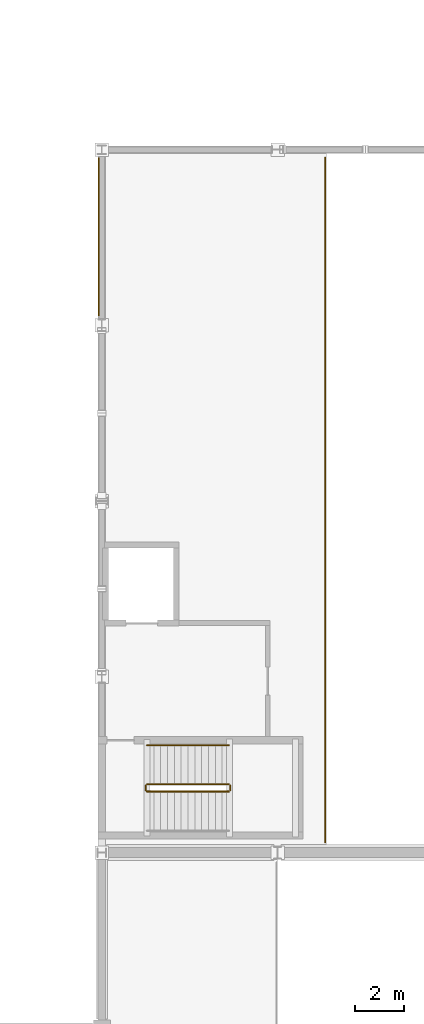
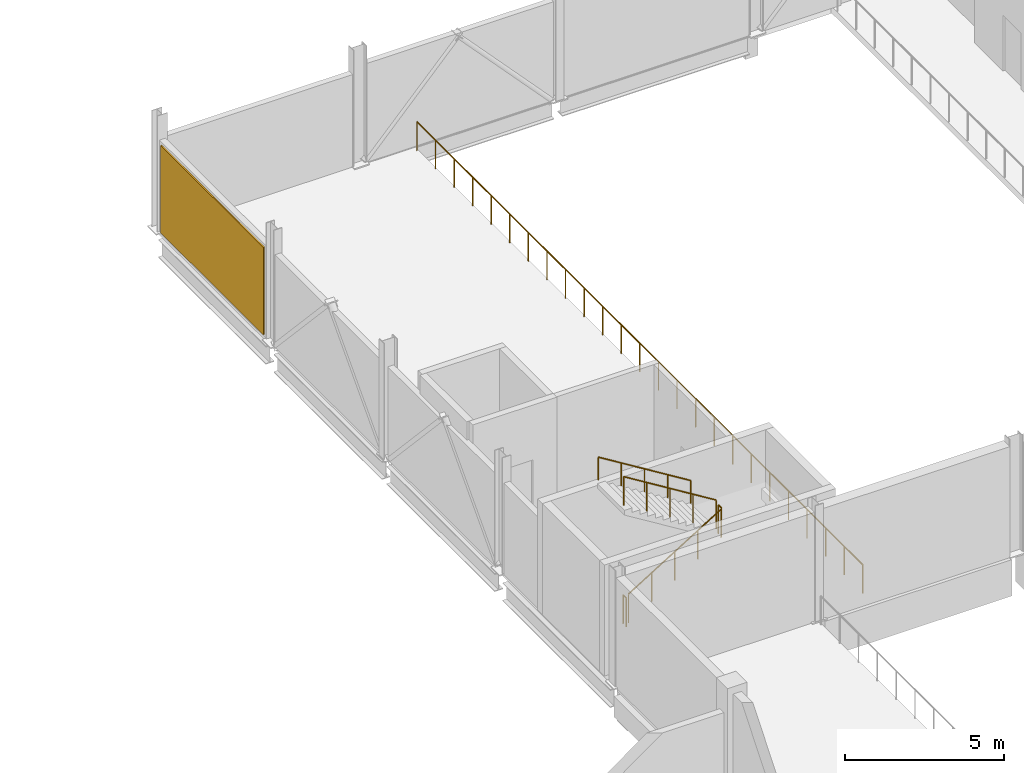
# One storey, part 104 of 108: 6 railings, 1 covering.
"""IFC4 building model written with IfcOpenShell, lengths in metres."""

import ifcopenshell
import ifcopenshell.guid

model = None  # the IFC model being written
_history = None  # IfcOwnerHistory: only IFC2X3 demands one
_inside = {}  # id of a spatial element -> (the spatial element, [elements in it])
_under = {}  # id of a project, library or spatial element -> (it, [spatial elements below it])
_declared = {}  # id of a project -> (the project, [libraries it declares])
_typed = {}  # id of a type object -> (the type object, [elements of that type])
_made_of = {}  # id of a material, layer set ... -> (it, [elements and type objects made of it])


def new_model(schema):
    """Start an empty IFC model of exactly this schema.

    Asked for "IFC4X3", IfcOpenShell would pick the latest addendum, in which some entities
    have other attributes; the version numbers below select the first issue.
    IFC2X3 requires an IfcOwnerHistory on every rooted entity: one is made here for all.
    """
    global model, _history
    if schema == "IFC4X3":
        model = ifcopenshell.file(schema_version=(4, 3, 0, 0))
    else:
        model = ifcopenshell.file(schema=schema)
    _inside.clear()
    _under.clear()
    _declared.clear()
    _typed.clear()
    _made_of.clear()
    _history = None
    if model.schema == "IFC2X3":
        org = make("IfcOrganization", Name="unknown")
        user = make(
            "IfcPersonAndOrganization",
            ThePerson=make("IfcPerson", FamilyName="unknown"),
            TheOrganization=org,
        )
        app = make(
            "IfcApplication",
            ApplicationDeveloper=org,
            Version="unknown",
            ApplicationFullName="unknown",
            ApplicationIdentifier="unknown",
        )
        _history = make(
            "IfcOwnerHistory",
            OwningUser=user,
            OwningApplication=app,
            ChangeAction="ADDED",
            CreationDate=0,
        )
    return model


def make(cls, **values):
    """One entity of the class cls with the attributes given. An attribute that is None is left unset."""
    return model.create_entity(
        cls, **{name: value for name, value in values.items() if value is not None}
    )


def rooted(cls, **values):
    """An entity with a GlobalId (a new one), such as an element, a storey or a relation."""
    return make(cls, GlobalId=ifcopenshell.guid.new(), OwnerHistory=_history, **values)


def si_unit(unit_type, name, prefix=None):
    """IfcSIUnit, for example si_unit("LENGTHUNIT", "METRE", prefix="MILLI")."""
    return make("IfcSIUnit", UnitType=unit_type, Prefix=prefix, Name=name)


def assignment(units):
    """IfcUnitAssignment: the units of a project."""
    return None if units is None else make("IfcUnitAssignment", Units=units)


def point(xyz):
    """IfcCartesianPoint."""
    return None if xyz is None else make("IfcCartesianPoint", Coordinates=xyz)


def direction(xyz):
    """IfcDirection."""
    return None if xyz is None else make("IfcDirection", DirectionRatios=xyz)


def frame(location, z_axis=None, x_axis=None):
    """IfcAxis2Placement3D, a coordinate frame: its origin and axes. An axis left out is left unset."""
    return make(
        "IfcAxis2Placement3D",
        Location=point(location),
        Axis=direction(z_axis),
        RefDirection=direction(x_axis),
    )


def frame_2d(location, x_axis=None):
    """IfcAxis2Placement2D, a coordinate frame in the plane: its origin and x axis."""
    return make(
        "IfcAxis2Placement2D", Location=point(location), RefDirection=direction(x_axis)
    )


def origin():
    """The frame at (0, 0, 0) with its axes left unset."""
    return frame((0.0, 0.0, 0.0))


def origin_2d():
    """The frame at (0, 0) in the plane with its x axis left unset."""
    return frame_2d((0.0, 0.0))


def place(relative_to, where):
    """IfcLocalPlacement: puts the frame where relative to a parent placement (None: the world)."""
    return make(
        "IfcLocalPlacement", PlacementRelTo=relative_to, RelativePlacement=where
    )


def context(
    kind, dimensions, precision=None, world=None, true_north=None, identifier=None
):
    """IfcGeometricRepresentationContext, for example the 3D "Model" context."""
    return make(
        "IfcGeometricRepresentationContext",
        ContextIdentifier=identifier,
        ContextType=kind,
        CoordinateSpaceDimension=dimensions,
        Precision=precision,
        WorldCoordinateSystem=world,
        TrueNorth=true_north,
    )


def subcontext(parent, identifier, kind, view, scale=None):
    """IfcGeometricRepresentationSubContext, for example "Body" below "Model"."""
    return make(
        "IfcGeometricRepresentationSubContext",
        ContextIdentifier=identifier,
        ContextType=kind,
        ParentContext=parent,
        TargetScale=scale,
        TargetView=view,
    )


def project(units=None, contexts=None):
    """IfcProject with its units and contexts."""
    return rooted(
        "IfcProject",
        Name="project",
        RepresentationContexts=contexts,
        UnitsInContext=assignment(units),
    )


def spatial(cls, under=None, at=None, **own):
    """A site, building, storey or space (cls), placed at a placement, below another one or the project."""
    s = rooted(cls, ObjectPlacement=at, **own)
    if under is not None:
        _under.setdefault(under.id(), (under, []))[1].append(s)
    return s


def profile(cls, at=None, kind="AREA", **sizes):
    """A parametric profile (cls). Its sizes go by their IFC names, for example OverallWidth=200.0."""
    return make(cls, ProfileType=kind, Position=at, **sizes)


def rectangle(**sizes):
    """IfcRectangleProfileDef."""
    return profile("IfcRectangleProfileDef", **sizes)


def circle(**sizes):
    """IfcCircleProfileDef."""
    return profile("IfcCircleProfileDef", **sizes)


def extrude(swept, where, along, depth):
    """IfcExtrudedAreaSolid: the profile swept, set in the frame where, extruded along a direction by depth."""
    return make(
        "IfcExtrudedAreaSolid",
        SweptArea=swept,
        Position=where,
        ExtrudedDirection=direction(along),
        Depth=depth,
    )


def shape(context_of_items, identifier, shape_type, items):
    """IfcShapeRepresentation: the items that make up one representation, for example the "Body"."""
    return make(
        "IfcShapeRepresentation",
        ContextOfItems=context_of_items,
        RepresentationIdentifier=identifier,
        RepresentationType=shape_type,
        Items=items,
    )


def material(Name=None, Category=None):
    """IfcMaterial."""
    return make("IfcMaterial", Name=Name, Category=Category)


def layer(
    of_material, thickness, ventilated=None, Name=None, Category=None, Priority=None
):
    """IfcMaterialLayer: one layer of a wall or slab, of a material (None: an air gap)."""
    return make(
        "IfcMaterialLayer",
        Material=of_material,
        LayerThickness=thickness,
        IsVentilated=ventilated,
        Name=Name,
        Category=Category,
        Priority=Priority,
    )


def layer_set(layers, Name=None):
    """IfcMaterialLayerSet."""
    return make("IfcMaterialLayerSet", MaterialLayers=layers, LayerSetName=Name)


def made_of(thing, what):
    """Note that an element or type object is made of a material, layer set ...; save() writes the relation."""
    if what is not None:
        _made_of.setdefault(what.id(), (what, []))[1].append(thing)
    return thing


def type_object(cls, material=None, **own):
    """A type object (cls), such as IfcWallType, which elements share."""
    return made_of(rooted(cls, **own), material)


def element(
    cls,
    number,
    at=None,
    inside=None,
    cuts=None,
    type_object=None,
    material=None,
    context=None,
    identifier="Body",
    shape_type=None,
    held_by="IfcProductDefinitionShape",
    body=None,
    shapes=None,
    **own,
):
    """One element of the class cls, such as IfcWall. Its Tag is "e" and its number.

    at: its placement. inside: the storey or other place that contains it. cuts: it is an
    opening in that element (IfcRelVoidsElement). A single representation is given by context,
    identifier, shape_type and body (its items); several are given by shapes. held_by: the class
    of the entity that holds the representations. save() writes the other relations.
    """
    e = rooted(cls, Tag="e%d" % number, ObjectPlacement=at, **own)
    if body is not None:
        shapes = [shape(context, identifier, shape_type, body)]
    if shapes is not None:
        e.Representation = make(held_by, Representations=shapes)
    if inside is not None:
        _inside.setdefault(inside.id(), (inside, []))[1].append(e)
    if cuts is not None:
        rooted(
            "IfcRelVoidsElement", RelatingBuildingElement=cuts, RelatedOpeningElement=e
        )
    if type_object is not None:
        _typed.setdefault(type_object.id(), (type_object, []))[1].append(e)
    return made_of(e, material)


def aggregate(whole, parts):
    """IfcRelAggregates: a whole, such as a stair, and the parts it consists of."""
    return rooted("IfcRelAggregates", RelatingObject=whole, RelatedObjects=parts)


def save(model, path):
    """Write the relations noted so far, then the file.

    IfcRelAggregates (storeys below a building ...), IfcRelContainedInSpatialStructure (elements
    in a storey), IfcRelDefinesByType, IfcRelAssociatesMaterial and IfcRelDeclares: one each for
    every whole, place, type object, material and project.
    """
    for whole, parts in _under.values():
        aggregate(whole, parts)
    for where, things in _inside.values():
        rooted(
            "IfcRelContainedInSpatialStructure",
            RelatedElements=things,
            RelatingStructure=where,
        )
    for kind, things in _typed.values():
        rooted("IfcRelDefinesByType", RelatedObjects=things, RelatingType=kind)
    for what, things in _made_of.values():
        rooted("IfcRelAssociatesMaterial", RelatedObjects=things, RelatingMaterial=what)
    for by, libraries in _declared.values():
        rooted("IfcRelDeclares", RelatingContext=by, RelatedDefinitions=libraries)
    model.write(path)


model = new_model("IFC4")

# Units and contexts
model_context = context("Model", 3, precision=1e-05, world=origin(), true_north=direction((0.0, 1.0)))
body_context = subcontext(model_context, "Body", "Model", "MODEL_VIEW")
ifc_project = project(units=[si_unit("LENGTHUNIT", "METRE"), si_unit("AREAUNIT", "SQUARE_METRE"), si_unit("VOLUMEUNIT", "CUBIC_METRE"), si_unit("PLANEANGLEUNIT", "RADIAN"), si_unit("MASSUNIT", "GRAM", prefix="KILO"), si_unit("THERMODYNAMICTEMPERATUREUNIT", "KELVIN"), si_unit("POWERUNIT", "WATT")], contexts=[model_context])

# Site, building, storey
site_placement = place(None, origin())
site = spatial("IfcSite", under=ifc_project, at=site_placement, CompositionType="ELEMENT")
building_placement = place(site_placement, origin())
building = spatial("IfcBuilding", under=site, at=building_placement, Name="Kaldorven Railside Theatre", CompositionType="ELEMENT")
storey_placement = place(building_placement, frame((0.0, 0.0, 5.39990234375)))
storey = spatial("IfcBuildingStorey", under=building, at=storey_placement, Name="L01", CompositionType="ELEMENT", Elevation=5.39990234375)

# Covering
ifc_material_1 = material(Name="Bush-hammered precast concrete C40/50", Category="concrete")
ifc_layer = layer(ifc_material_1, 0.050048828125, Name="Bush-hammered precast concrete C40/50")
ifc_layer_set = layer_set([ifc_layer], Name="Bush-hammered precast concrete C40/50")
covering_type = type_object("IfcCoveringType", Name="COV-CLD-01", PredefinedType="CLADDING", material=ifc_layer_set)
covering_placement = place(storey_placement, frame((87.069091796875, 109.23291015625, 0.10009765625), z_axis=(0.0, 0.0, 1.0), x_axis=(0.0, 1.0, 0.0)))
element("IfcCovering", 1, at=covering_placement, inside=storey, type_object=covering_type, Name="Bush-Hammered Laterite Rainscreen Panel CLD-035", PredefinedType="CLADDING", context=body_context, shape_type="SweptSolid", body=[
    extrude(rectangle(XDim=6.466064453125, YDim=0.050048828125, at=origin_2d()), origin(), (0.0, 0.0, 1.0), 3.35498046875),
])

# Railings
ifc_material_2 = material(Name="Anodised bronze aluminium", Category="aluminium")
railing_type_1 = type_object("IfcRailingType", Name="RLG-BAL-1100", PredefinedType="BALUSTRADE", material=ifc_material_2)
railing_1_placement = place(storey_placement, frame((96.360107421875, 112.469970703125, 0.0)))
element("IfcRailing", 2, at=railing_1_placement, inside=storey, type_object=railing_type_1, Name="L01 Safety Balustrade GR-038", PredefinedType="BALUSTRADE", context=body_context, shape_type="SweptSolid", body=[
    extrude(circle(Radius=0.02392578125, at=origin_2d()), frame((0.0, 0.0, 1.09619140625), z_axis=(0.0, -1.0, 0.0), x_axis=(1.0, 0.0, 0.0)), (0.0, 0.0, 1.0), 28.050048828125),
    extrude(circle(Radius=0.02099609375, at=origin_2d()), origin(), (0.0, 0.0, 1.0), 1.072021484375),
    extrude(circle(Radius=0.02099609375, at=origin_2d()), frame((0.0, -1.168701171875, 0.0)), (0.0, 0.0, 1.0), 1.072021484375),
    extrude(circle(Radius=0.02099609375, at=origin_2d()), frame((0.0, -2.33740234375, 0.0)), (0.0, 0.0, 1.0), 1.072021484375),
    extrude(circle(Radius=0.02099609375, at=origin_2d()), frame((0.0, -3.50634765625, 0.0)), (0.0, 0.0, 1.0), 1.072021484375),
    extrude(circle(Radius=0.02099609375, at=origin_2d()), frame((0.0, -4.675048828125, 0.0)), (0.0, 0.0, 1.0), 1.072021484375),
    extrude(circle(Radius=0.02099609375, at=origin_2d()), frame((0.0, -5.84375, 0.0)), (0.0, 0.0, 1.0), 1.072021484375),
    extrude(circle(Radius=0.02099609375, at=origin_2d()), frame((0.0, -7.012451171875, 0.0)), (0.0, 0.0, 1.0), 1.072021484375),
    extrude(circle(Radius=0.02099609375, at=origin_2d()), frame((0.0, -8.18115234375, 0.0)), (0.0, 0.0, 1.0), 1.072021484375),
    extrude(circle(Radius=0.02099609375, at=origin_2d()), frame((0.0, -9.35009765625, 0.0)), (0.0, 0.0, 1.0), 1.072021484375),
    extrude(circle(Radius=0.02099609375, at=origin_2d()), frame((0.0, -10.518798828125, 0.0)), (0.0, 0.0, 1.0), 1.072021484375),
    extrude(circle(Radius=0.02099609375, at=origin_2d()), frame((0.0, -11.6875, 0.0)), (0.0, 0.0, 1.0), 1.072021484375),
    extrude(circle(Radius=0.02099609375, at=origin_2d()), frame((0.0, -12.856201171875, 0.0)), (0.0, 0.0, 1.0), 1.072021484375),
    extrude(circle(Radius=0.02099609375, at=origin_2d()), frame((0.0, -14.02490234375, 0.0)), (0.0, 0.0, 1.0), 1.072021484375),
    extrude(circle(Radius=0.02099609375, at=origin_2d()), frame((0.0, -15.19384765625, 0.0)), (0.0, 0.0, 1.0), 1.072021484375),
    extrude(circle(Radius=0.02099609375, at=origin_2d()), frame((0.0, -16.362548828125, 0.0)), (0.0, 0.0, 1.0), 1.072021484375),
    extrude(circle(Radius=0.02099609375, at=origin_2d()), frame((0.0, -17.53125, 0.0)), (0.0, 0.0, 1.0), 1.072021484375),
    extrude(circle(Radius=0.02099609375, at=origin_2d()), frame((0.0, -18.699951171875, 0.0)), (0.0, 0.0, 1.0), 1.072021484375),
    extrude(circle(Radius=0.02099609375, at=origin_2d()), frame((0.0, -19.868896484375, 0.0)), (0.0, 0.0, 1.0), 1.072021484375),
    extrude(circle(Radius=0.02099609375, at=origin_2d()), frame((0.0, -21.03759765625, 0.0)), (0.0, 0.0, 1.0), 1.072021484375),
    extrude(circle(Radius=0.02099609375, at=origin_2d()), frame((0.0, -22.206298828125, 0.0)), (0.0, 0.0, 1.0), 1.072021484375),
    extrude(circle(Radius=0.02099609375, at=origin_2d()), frame((0.0, -23.375, 0.0)), (0.0, 0.0, 1.0), 1.072021484375),
    extrude(circle(Radius=0.02099609375, at=origin_2d()), frame((0.0, -24.543701171875, 0.0)), (0.0, 0.0, 1.0), 1.072021484375),
    extrude(circle(Radius=0.02099609375, at=origin_2d()), frame((0.0, -25.712646484375, 0.0)), (0.0, 0.0, 1.0), 1.072021484375),
    extrude(circle(Radius=0.02099609375, at=origin_2d()), frame((0.0, -26.88134765625, 0.0)), (0.0, 0.0, 1.0), 1.072021484375),
    extrude(circle(Radius=0.02099609375, at=origin_2d()), frame((0.0, -28.050048828125, 0.0)), (0.0, 0.0, 1.0), 1.072021484375),
])
ifc_material_3 = material(Name="Steel S355", Category="steel")
railing_type_2 = type_object("IfcRailingType", Name="RLG-STG-1100", PredefinedType="BALUSTRADE", material=ifc_material_3)
railing_2_placement = place(storey_placement, frame((89.050048828125, 86.5, 0.173095703125)))
element("IfcRailing", 3, at=railing_2_placement, inside=storey, type_object=railing_type_2, Name="L01 ST-05 stair guard 1", PredefinedType="BALUSTRADE", context=body_context, shape_type="SweptSolid", body=[
    extrude(circle(Radius=0.02392578125, at=origin_2d()), frame((0.0, 0.0, 1.09619140625), z_axis=(0.850606129759, 0.0, 0.525803396734), x_axis=(0.0, 1.0, 0.0)), (0.0, 0.0, 1.0), 3.949951171875),
    extrude(circle(Radius=0.02099609375, at=origin_2d()), origin(), (0.0, 0.0, 1.0), 1.072021484375),
    extrude(circle(Radius=0.02099609375, at=origin_2d()), frame((0.83984375, 0.0, 0.519287109375)), (0.0, 0.0, 1.0), 1.072021484375),
    extrude(circle(Radius=0.02099609375, at=origin_2d()), frame((1.679931640625, 0.0, 1.03857421875)), (0.0, 0.0, 1.0), 1.072021484375),
    extrude(circle(Radius=0.02099609375, at=origin_2d()), frame((2.52001953125, 0.0, 1.5576171875)), (0.0, 0.0, 1.0), 1.072021484375),
    extrude(circle(Radius=0.02099609375, at=origin_2d()), frame((3.35986328125, 0.0, 2.076904296875)), (0.0, 0.0, 1.0), 1.072021484375),
])
railing_3_placement = place(storey_placement, frame((92.4599609375, 86.550048828125, 2.25)))
element("IfcRailing", 4, at=railing_3_placement, inside=storey, type_object=railing_type_2, Name="L01 ST-05 stair guard 2", PredefinedType="BALUSTRADE", context=body_context, shape_type="SweptSolid", body=[
    extrude(circle(Radius=0.02392578125, at=origin_2d()), frame((0.0, 0.0, 1.09619140625), z_axis=(0.0, 1.0, 0.0), x_axis=(-1.0, 0.0, 0.0)), (0.0, 0.0, 1.0), 0.199951171875),
    extrude(circle(Radius=0.02099609375, at=origin_2d()), origin(), (0.0, 0.0, 1.0), 1.072021484375),
    extrude(circle(Radius=0.02099609375, at=origin_2d()), frame((0.0, 0.199951171875, 0.0)), (0.0, 0.0, 1.0), 1.072021484375),
])
railing_4_placement = place(storey_placement, frame((92.409912109375, 86.800048828125, 2.423095703125)))
element("IfcRailing", 5, at=railing_4_placement, inside=storey, type_object=railing_type_2, Name="L01 ST-05 stair guard 3", PredefinedType="BALUSTRADE", context=body_context, shape_type="SweptSolid", body=[
    extrude(circle(Radius=0.02392578125, at=origin_2d()), frame((0.0, 0.0, 1.09619140625), z_axis=(-0.850606129759, 0.0, 0.525803396734), x_axis=(0.0, -1.0, 0.0)), (0.0, 0.0, 1.0), 3.949951171875),
    extrude(circle(Radius=0.02099609375, at=origin_2d()), origin(), (0.0, 0.0, 1.0), 1.072021484375),
    extrude(circle(Radius=0.02099609375, at=origin_2d()), frame((-0.83984375, 0.0, 0.519287109375)), (0.0, 0.0, 1.0), 1.072021484375),
    extrude(circle(Radius=0.02099609375, at=origin_2d()), frame((-1.679931640625, 0.0, 1.03857421875)), (0.0, 0.0, 1.0), 1.072021484375),
    extrude(circle(Radius=0.02099609375, at=origin_2d()), frame((-2.52001953125, 0.0, 1.5576171875)), (0.0, 0.0, 1.0), 1.072021484375),
    extrude(circle(Radius=0.02099609375, at=origin_2d()), frame((-3.35986328125, 0.0, 2.076904296875)), (0.0, 0.0, 1.0), 1.072021484375),
])
railing_5_placement = place(storey_placement, frame((89.0, 86.550048828125, 0.0)))
element("IfcRailing", 6, at=railing_5_placement, inside=storey, type_object=railing_type_2, Name="L01 ST-05 stair guard 4", PredefinedType="BALUSTRADE", context=body_context, shape_type="SweptSolid", body=[
    extrude(circle(Radius=0.02392578125, at=origin_2d()), frame((0.0, 0.0, 1.09619140625), z_axis=(0.0, 1.0, 0.0), x_axis=(-1.0, 0.0, 0.0)), (0.0, 0.0, 1.0), 0.199951171875),
    extrude(circle(Radius=0.02099609375, at=origin_2d()), origin(), (0.0, 0.0, 1.0), 1.072021484375),
    extrude(circle(Radius=0.02099609375, at=origin_2d()), frame((0.0, 0.199951171875, 0.0)), (0.0, 0.0, 1.0), 1.072021484375),
])
railing_type_3 = type_object("IfcRailingType", Name="RLG-STH-900", PredefinedType="HANDRAIL", material=ifc_material_3)
railing_6_placement = place(storey_placement, frame((92.409912109375, 88.39990234375, 2.423095703125)))
element("IfcRailing", 7, at=railing_6_placement, inside=storey, type_object=railing_type_3, Name="L01 ST-05 stair handrail 2", PredefinedType="HANDRAIL", context=body_context, shape_type="SweptSolid", body=[
    extrude(circle(Radius=0.02392578125, at=origin_2d()), frame((0.0, 0.0, 0.8759765625), z_axis=(-0.850606129759, 0.0, 0.525803396734), x_axis=(0.0, -1.0, 0.0)), (0.0, 0.0, 1.0), 3.949951171875),
    extrude(circle(Radius=0.02099609375, at=origin_2d()), origin(), (0.0, 0.0, 1.0), 0.851806640625),
    extrude(circle(Radius=0.02099609375, at=origin_2d()), frame((-0.83984375, 0.0, 0.519287109375)), (0.0, 0.0, 1.0), 0.851806640625),
    extrude(circle(Radius=0.02099609375, at=origin_2d()), frame((-1.679931640625, 0.0, 1.03857421875)), (0.0, 0.0, 1.0), 0.851806640625),
    extrude(circle(Radius=0.02099609375, at=origin_2d()), frame((-2.52001953125, 0.0, 1.5576171875)), (0.0, 0.0, 1.0), 0.851806640625),
    extrude(circle(Radius=0.02099609375, at=origin_2d()), frame((-3.35986328125, 0.0, 2.076904296875)), (0.0, 0.0, 1.0), 0.851806640625),
])

save(model, "model.ifc")
